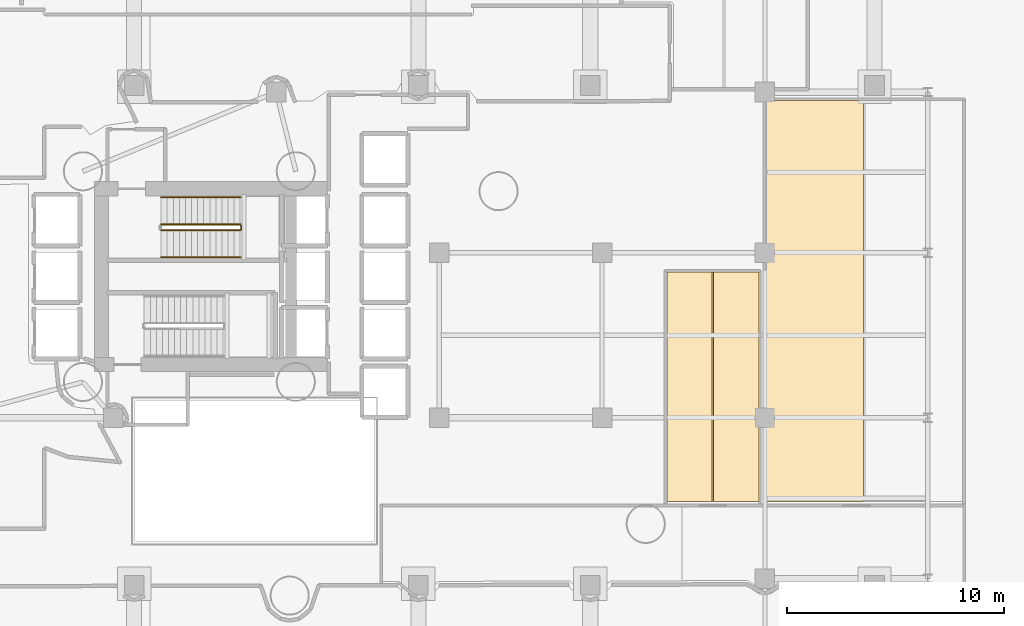
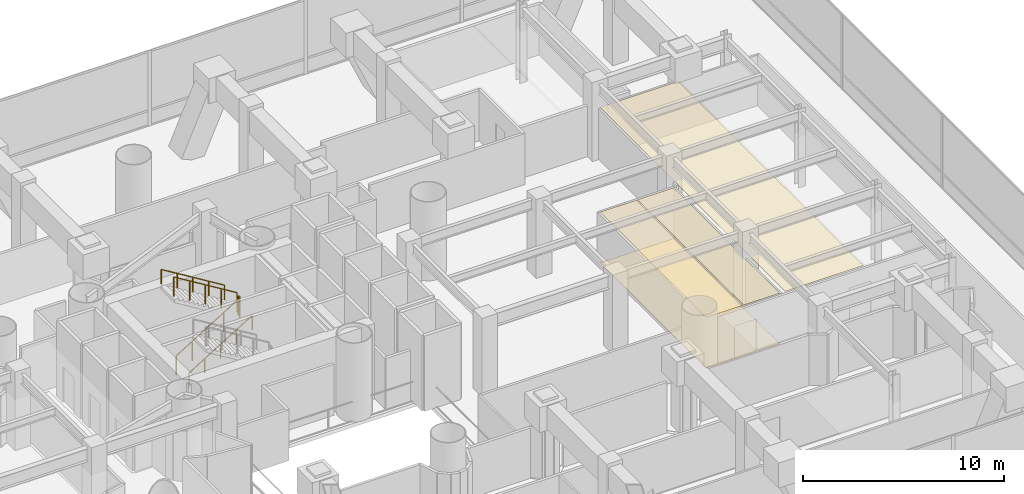
# One storey, part 42 of 45: 5 railings, 4 coverings.
"""IFC4 building model written with IfcOpenShell, lengths in metres."""

from ifc_helpers import new_model, si_unit, direction, frame, origin, origin_2d, place, context, subcontext, project, spatial, polyline, rectangle, outline, extrude, material, layer, layer_set, type_object, element, save


model = new_model("IFC4")

# Units and contexts
model_context = context("Model", 3, precision=1e-05, world=origin(), true_north=direction((0.0, 1.0)))
body_context = subcontext(model_context, "Body", "Model", "MODEL_VIEW")
ifc_project = project(units=[si_unit("LENGTHUNIT", "METRE"), si_unit("AREAUNIT", "SQUARE_METRE"), si_unit("VOLUMEUNIT", "CUBIC_METRE"), si_unit("PLANEANGLEUNIT", "RADIAN"), si_unit("MASSUNIT", "GRAM", prefix="KILO")], contexts=[model_context])

# Site, building, storey
site_placement = place(None, origin())
site = spatial("IfcSite", under=ifc_project, at=site_placement, CompositionType="ELEMENT")
building_placement = place(site_placement, origin())
building = spatial("IfcBuilding", under=site, at=building_placement, Name="Qianvela Tower", CompositionType="ELEMENT")
storey_placement = place(building_placement, frame((0.0, 0.0, 11.0)))
storey = spatial("IfcBuildingStorey", under=building, at=storey_placement, Name="L02", CompositionType="ELEMENT", Elevation=11.0)

# Coverings
ifc_material_1 = material(Name="Perforated Mineral Acoustic Ceiling Tile")
ifc_layer_1 = layer(ifc_material_1, 0.02490234375)
ifc_layer_set_1 = layer_set([ifc_layer_1], Name="Perforated Mineral Acoustic Ceiling Tile")
covering_type_1 = type_object("IfcCoveringType", Name="COV-CEIL-ACOUSTIC-25", PredefinedType="CEILING", material=ifc_layer_set_1)
covering_1_placement = place(storey_placement, frame((0.0, 0.0, 3.074951171875)))
element("IfcCovering", 1, at=covering_1_placement, inside=storey, type_object=covering_type_1, Name="L02 Acoustic Ceiling Bay 1 L02 Graduate Seminar Room 1", PredefinedType="CEILING", context=body_context, shape_type="SweptSolid", body=[
    extrude(outline(polyline([(55.47998046875, 18.342041015625), (55.47998046875, 28.919921875), (57.56005859375, 28.919921875), (57.56005859375, 18.342041015625), (55.47998046875, 18.342041015625)])), origin(), (0.0, 0.0, 1.0), 0.025146484375),
])
covering_2_placement = place(storey_placement, frame((0.0, 0.0, 3.074951171875)))
element("IfcCovering", 2, at=covering_2_placement, inside=storey, type_object=covering_type_1, Name="L02 Acoustic Ceiling Bay 2 L02 Graduate Seminar Room 1", PredefinedType="CEILING", context=body_context, shape_type="SweptSolid", body=[
    extrude(outline(polyline([(57.639892578125, 18.342041015625), (57.639892578125, 28.919921875), (59.719970703125, 28.919921875), (59.719970703125, 18.342041015625), (57.639892578125, 18.342041015625)])), origin(), (0.0, 0.0, 1.0), 0.025146484375),
])
covering_3_placement = place(storey_placement, frame((0.0, 0.0, 3.074951171875)))
element("IfcCovering", 3, at=covering_3_placement, inside=storey, type_object=covering_type_1, Name="L02 Acoustic Ceiling Bay 1 L02 Digital Research Office East", PredefinedType="CEILING", context=body_context, shape_type="SweptSolid", body=[
    extrude(outline(polyline([(60.030029296875, 18.342041015625), (60.030029296875, 36.820068359375), (64.534912109375, 36.820068359375), (64.534912109375, 18.342041015625), (60.030029296875, 18.342041015625)])), origin(), (0.0, 0.0, 1.0), 0.025146484375),
])
ifc_material_2 = material(Name="Engineered Acoustic Oak Timber Flooring", Category="wood")
ifc_layer_2 = layer(ifc_material_2, 0.02001953125)
ifc_layer_set_2 = layer_set([ifc_layer_2], Name="Engineered Acoustic Oak Timber Flooring")
covering_type_2 = type_object("IfcCoveringType", Name="COV-FLOOR-OAK-20", PredefinedType="FLOORING", material=ifc_layer_set_2)
covering_4_placement = place(storey_placement, origin())
element("IfcCovering", 4, at=covering_4_placement, inside=storey, type_object=covering_type_2, Name="L02 Finish Flooring L02 Graduate Seminar Room 1", PredefinedType="FLOORING", context=body_context, shape_type="SweptSolid", body=[
    extrude(outline(polyline([(59.719970703125, 18.342041015625), (55.47998046875, 18.342041015625), (55.47998046875, 28.919921875), (59.719970703125, 28.919921875), (59.719970703125, 18.342041015625)])), origin(), (0.0, 0.0, 1.0), 0.02001953125),
])

# Railings
ifc_material_3 = material(Name="Painted Tubular Steel Q355B", Category="steel")
railing_type_1 = type_object("IfcRailingType", Name="RL-STAIR-GUARD-1200", PredefinedType="GUARDRAIL", material=ifc_material_3)
railing_1_placement = place(storey_placement, frame((32.199951171875, 30.840087890625, 0.17138671875)))
element("IfcRailing", 5, at=railing_1_placement, inside=storey, type_object=railing_type_1, Name="L02 ST-1 stair guard 1", PredefinedType="GUARDRAIL", context=body_context, shape_type="SweptSolid", body=[
    extrude(rectangle(XDim=0.050048828125, YDim=0.0400390625, at=origin_2d()), frame((0.0, 0.0, 1.179931640625), z_axis=(0.852865859571, 0.0, 0.52213008492), x_axis=(0.0, 1.0, 0.0)), (0.0, 0.0, 1.0), 4.26806640625),
    extrude(rectangle(XDim=0.050048828125, YDim=0.050048828125, at=origin_2d()), origin(), (0.0, 0.0, 1.0), 1.159912109375),
    extrude(rectangle(XDim=0.050048828125, YDim=0.050048828125, at=origin_2d()), frame((0.91015625, 0.0, 0.55712890625)), (0.0, 0.0, 1.0), 1.159912109375),
    extrude(rectangle(XDim=0.050048828125, YDim=0.050048828125, at=origin_2d()), frame((1.820068359375, 0.0, 1.1142578125)), (0.0, 0.0, 1.0), 1.159912109375),
    extrude(rectangle(XDim=0.050048828125, YDim=0.050048828125, at=origin_2d()), frame((2.72998046875, 0.0, 1.67138671875)), (0.0, 0.0, 1.0), 1.159912109375),
    extrude(rectangle(XDim=0.050048828125, YDim=0.050048828125, at=origin_2d()), frame((3.64013671875, 0.0, 2.228515625)), (0.0, 0.0, 1.0), 1.159912109375),
])
railing_2_placement = place(storey_placement, frame((35.889892578125, 30.889892578125, 2.39990234375)))
element("IfcRailing", 6, at=railing_2_placement, inside=storey, type_object=railing_type_1, Name="L02 ST-1 stair guard 2", PredefinedType="GUARDRAIL", context=body_context, shape_type="SweptSolid", body=[
    extrude(rectangle(XDim=0.050048828125, YDim=0.0400390625, at=origin_2d()), frame((0.0, 0.0, 1.179931640625), z_axis=(0.0, 1.0, 0.0), x_axis=(-1.0, 0.0, 0.0)), (0.0, 0.0, 1.0), 0.16015625),
    extrude(rectangle(XDim=0.050048828125, YDim=0.050048828125, at=origin_2d()), origin(), (0.0, 0.0, 1.0), 1.159912109375),
    extrude(rectangle(XDim=0.050048828125, YDim=0.050048828125, at=origin_2d()), frame((0.0, 0.16015625, 0.0)), (0.0, 0.0, 1.0), 1.159912109375),
])
railing_3_placement = place(storey_placement, frame((35.840087890625, 31.10009765625, 2.571533203125)))
element("IfcRailing", 7, at=railing_3_placement, inside=storey, type_object=railing_type_1, Name="L02 ST-1 stair guard 3", PredefinedType="GUARDRAIL", context=body_context, shape_type="SweptSolid", body=[
    extrude(rectangle(XDim=0.050048828125, YDim=0.0400390625, at=origin_2d()), frame((0.0, 0.0, 1.179931640625), z_axis=(-0.852865859571, 0.0, 0.52213008492), x_axis=(0.0, -1.0, 0.0)), (0.0, 0.0, 1.0), 4.26806640625),
    extrude(rectangle(XDim=0.050048828125, YDim=0.050048828125, at=origin_2d()), origin(), (0.0, 0.0, 1.0), 1.159912109375),
    extrude(rectangle(XDim=0.050048828125, YDim=0.050048828125, at=origin_2d()), frame((-0.91015625, 0.0, 0.55712890625)), (0.0, 0.0, 1.0), 1.159912109375),
    extrude(rectangle(XDim=0.050048828125, YDim=0.050048828125, at=origin_2d()), frame((-1.820068359375, 0.0, 1.1142578125)), (0.0, 0.0, 1.0), 1.159912109375),
    extrude(rectangle(XDim=0.050048828125, YDim=0.050048828125, at=origin_2d()), frame((-2.72998046875, 0.0, 1.67138671875)), (0.0, 0.0, 1.0), 1.159912109375),
    extrude(rectangle(XDim=0.050048828125, YDim=0.050048828125, at=origin_2d()), frame((-3.64013671875, 0.0, 2.228515625)), (0.0, 0.0, 1.0), 1.159912109375),
])
ifc_material_4 = material(Name="Brushed Stainless Steel 304", Category="steel")
railing_type_2 = type_object("IfcRailingType", Name="RL-STAIR-HANDRAIL-900", PredefinedType="HANDRAIL", material=ifc_material_4)
railing_4_placement = place(storey_placement, frame((32.199951171875, 29.590087890625, 0.17138671875)))
element("IfcRailing", 8, at=railing_4_placement, inside=storey, type_object=railing_type_2, Name="L02 ST-1 stair handrail 1", PredefinedType="HANDRAIL", context=body_context, shape_type="SweptSolid", body=[
    extrude(rectangle(XDim=0.050048828125, YDim=0.0400390625, at=origin_2d()), frame((0.0, 0.0, 0.8798828125), z_axis=(0.852865859571, 0.0, 0.52213008492), x_axis=(0.0, 1.0, 0.0)), (0.0, 0.0, 1.0), 4.26806640625),
    extrude(rectangle(XDim=0.050048828125, YDim=0.050048828125, at=origin_2d()), origin(), (0.0, 0.0, 1.0), 0.85986328125),
    extrude(rectangle(XDim=0.050048828125, YDim=0.050048828125, at=origin_2d()), frame((0.91015625, 0.0, 0.55712890625)), (0.0, 0.0, 1.0), 0.85986328125),
    extrude(rectangle(XDim=0.050048828125, YDim=0.050048828125, at=origin_2d()), frame((1.820068359375, 0.0, 1.1142578125)), (0.0, 0.0, 1.0), 0.85986328125),
    extrude(rectangle(XDim=0.050048828125, YDim=0.050048828125, at=origin_2d()), frame((2.72998046875, 0.0, 1.67138671875)), (0.0, 0.0, 1.0), 0.85986328125),
    extrude(rectangle(XDim=0.050048828125, YDim=0.050048828125, at=origin_2d()), frame((3.64013671875, 0.0, 2.228515625)), (0.0, 0.0, 1.0), 0.85986328125),
])
railing_5_placement = place(storey_placement, frame((35.840087890625, 32.35009765625, 2.571533203125)))
element("IfcRailing", 9, at=railing_5_placement, inside=storey, type_object=railing_type_2, Name="L02 ST-1 stair handrail 2", PredefinedType="HANDRAIL", context=body_context, shape_type="SweptSolid", body=[
    extrude(rectangle(XDim=0.050048828125, YDim=0.0400390625, at=origin_2d()), frame((0.0, 0.0, 0.8798828125), z_axis=(-0.852865859571, 0.0, 0.52213008492), x_axis=(0.0, -1.0, 0.0)), (0.0, 0.0, 1.0), 4.26806640625),
    extrude(rectangle(XDim=0.050048828125, YDim=0.050048828125, at=origin_2d()), origin(), (0.0, 0.0, 1.0), 0.85986328125),
    extrude(rectangle(XDim=0.050048828125, YDim=0.050048828125, at=origin_2d()), frame((-0.91015625, 0.0, 0.55712890625)), (0.0, 0.0, 1.0), 0.85986328125),
    extrude(rectangle(XDim=0.050048828125, YDim=0.050048828125, at=origin_2d()), frame((-1.820068359375, 0.0, 1.1142578125)), (0.0, 0.0, 1.0), 0.85986328125),
    extrude(rectangle(XDim=0.050048828125, YDim=0.050048828125, at=origin_2d()), frame((-2.72998046875, 0.0, 1.67138671875)), (0.0, 0.0, 1.0), 0.85986328125),
    extrude(rectangle(XDim=0.050048828125, YDim=0.050048828125, at=origin_2d()), frame((-3.64013671875, 0.0, 2.228515625)), (0.0, 0.0, 1.0), 0.85986328125),
])

save(model, "model.ifc")
